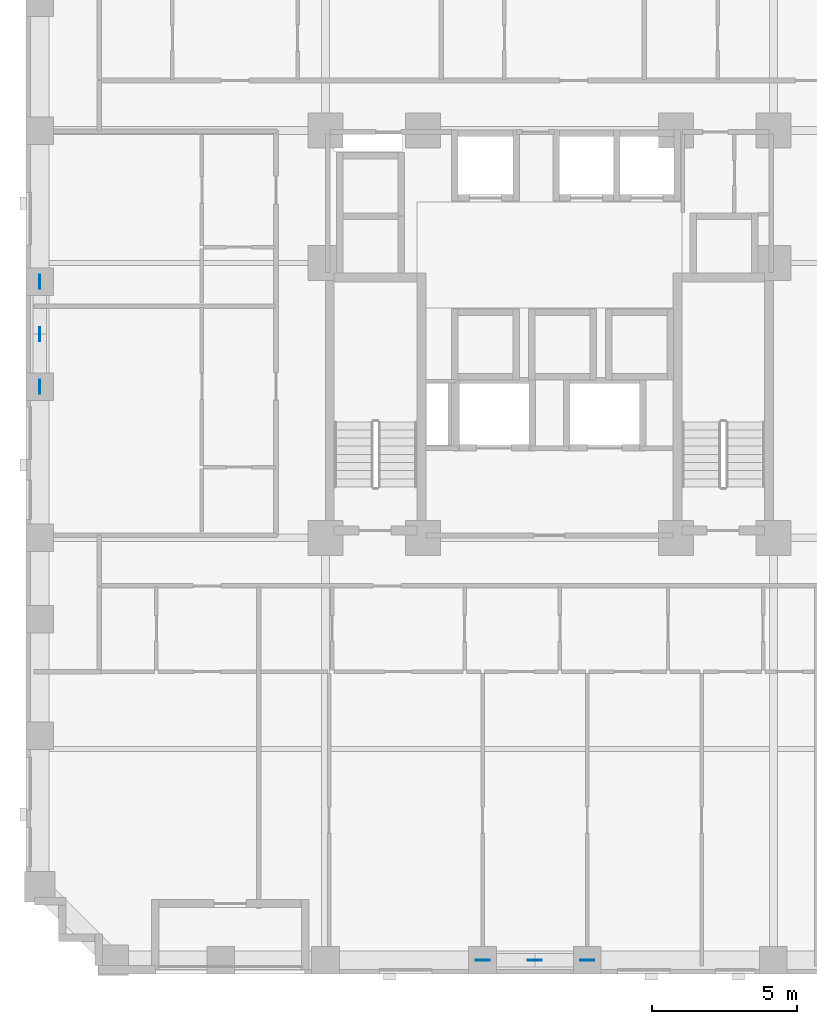
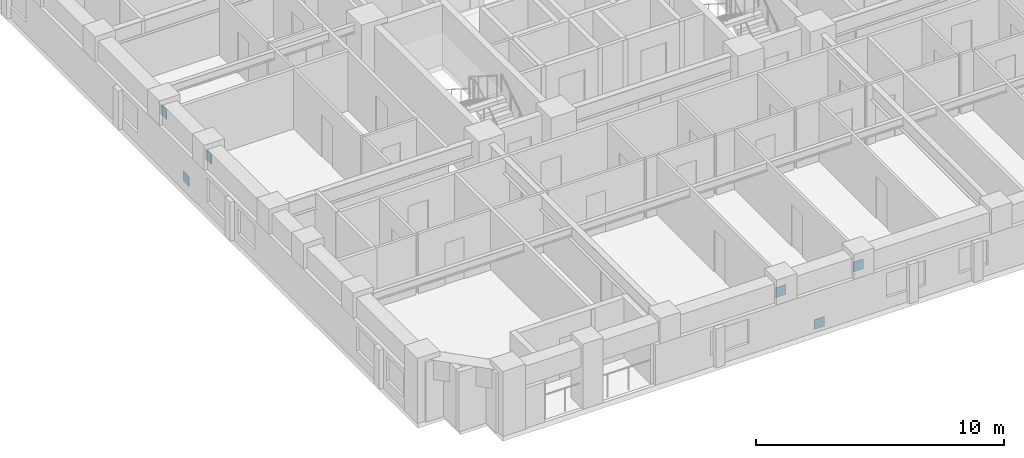
# One storey, part 9 of 13: 6 discrete accessories.
"""IFC4 building model written with IfcOpenShell, lengths in metres."""

from ifc_helpers import new_model, si_unit, derived_unit, direction, frame, origin, origin_2d, place, context, subcontext, project, spatial, rectangle, extrude, material, layer, layer_set, type_object, element, save


model = new_model("IFC4")

# Units and contexts
model_context = context("Model", 3, precision=1e-05, world=origin(), true_north=direction((0.0, 1.0)))
body_context = subcontext(model_context, "Body", "Model", "MODEL_VIEW")
ifc_project = project(units=[si_unit("LENGTHUNIT", "METRE"), si_unit("AREAUNIT", "SQUARE_METRE"), si_unit("VOLUMEUNIT", "CUBIC_METRE"), si_unit("PLANEANGLEUNIT", "RADIAN"), si_unit("MASSUNIT", "GRAM", prefix="KILO"), derived_unit("THERMALTRANSMITTANCEUNIT", [(si_unit("MASSUNIT", "GRAM", prefix="KILO"), 1), (si_unit("TIMEUNIT", "SECOND"), -3), (si_unit("THERMODYNAMICTEMPERATUREUNIT", "KELVIN"), -1)])], contexts=[model_context])

# Site, building, storey
site_placement = place(None, origin())
site = spatial("IfcSite", under=ifc_project, at=site_placement, CompositionType="ELEMENT")
building_placement = place(site_placement, origin())
building = spatial("IfcBuilding", under=site, at=building_placement, Name="Korrvale Station Residences", CompositionType="ELEMENT")
storey_placement = place(building_placement, frame((0.0, 0.0, 32.199951171875)))
storey = spatial("IfcBuildingStorey", under=building, at=storey_placement, Name="L07", CompositionType="ELEMENT", Elevation=32.199951171875)

# Discrete accessories
ifc_material = material(Name="Steel S355", Category="steel")
ifc_layer = layer(ifc_material, 0.02490234375, Name="Steel S355")
ifc_layer_set = layer_set([ifc_layer], Name="Steel S355")
discrete_accessory_type = type_object("IfcDiscreteAccessoryType", Name="ACC-GUSSET-25", PredefinedType="BRACKET", material=ifc_layer_set)
for number, where, z_axis, x_axis, name in (
    (1, (25.0, 0.47998046875, -0.219970703125), (0.0, 0.0, 1.0), (1.0, 0.0, 0.0), "L07 S Brace End Gusset Connection M"),
    (2, (23.199951171875, 0.47998046875, 1.969970703125), (0.0, 0.0, 1.0), (1.0, 0.0, 0.0), "L07 S Brace End Gusset Connection A"),
    (3, (26.800048828125, 0.47998046875, 1.969970703125), (0.0, 0.0, 1.0), (1.0, 0.0, 0.0), "L07 S Brace End Gusset Connection B"),
    (4, (7.97998046875, 22.0, -0.219970703125), (0.0, 0.0, 1.0), (0.0, 1.0, 0.0), "L07 W Brace End Gusset Connection M"),
    (5, (7.97998046875, 20.199951171875, 1.969970703125), (0.0, 0.0, 1.0), (0.0, 1.0, 0.0), "L07 W Brace End Gusset Connection A"),
    (6, (7.97998046875, 23.800048828125, 1.969970703125), (0.0, 0.0, 1.0), (0.0, 1.0, 0.0), "L07 W Brace End Gusset Connection B"),
):
    element("IfcDiscreteAccessory", number, at=place(storey_placement, frame(where, z_axis=z_axis, x_axis=x_axis)), inside=storey, type_object=discrete_accessory_type, Name=name, PredefinedType="BRACKET", context=body_context, shape_type="SweptSolid", body=[
        extrude(rectangle(XDim=0.47998046875, YDim=0.02490234375, at=origin_2d()), origin(), (0.0, 0.0, 1.0), 0.47998046875),
    ])

save(model, "model.ifc")
